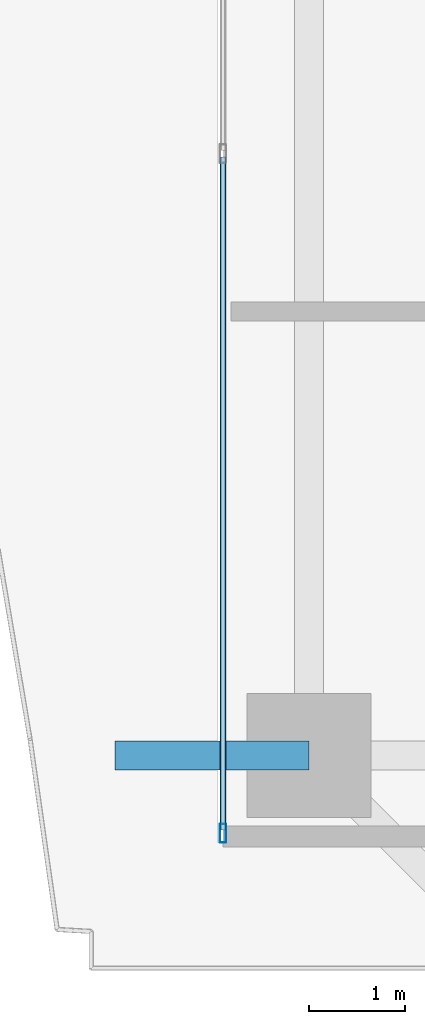
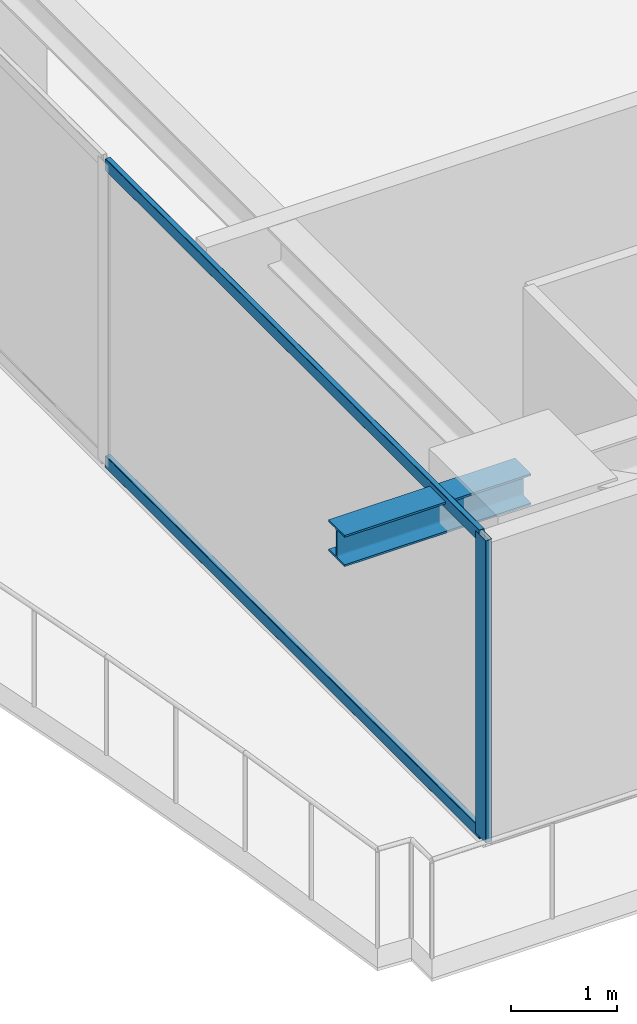
# One storey, part 3 of 34: 3 members, 1 beam, 1 element without a shape of its own.
"""IFC4 building model written with IfcOpenShell, lengths in metres."""

from ifc_helpers import new_model, si_unit, direction, frame, origin, origin_2d, place, context, subcontext, project, spatial, hollow_rectangle, i_section, extrude, source, transform, mapped, material, layer, layer_set, material_profile, profile_set, type_object, element, aggregate, save


model = new_model("IFC4")

# Units and contexts
model_context = context("Model", 3, precision=1e-05, world=origin(), true_north=direction((0.0, 1.0)))
body_context = subcontext(model_context, "Body", "Model", "MODEL_VIEW")
ifc_project = project(units=[si_unit("LENGTHUNIT", "METRE"), si_unit("AREAUNIT", "SQUARE_METRE"), si_unit("VOLUMEUNIT", "CUBIC_METRE"), si_unit("PLANEANGLEUNIT", "RADIAN"), si_unit("MASSUNIT", "GRAM", prefix="KILO")], contexts=[model_context])

# Site, building, storey
site_placement = place(None, origin())
site = spatial("IfcSite", under=ifc_project, at=site_placement, CompositionType="ELEMENT")
building_placement = place(site_placement, origin())
building = spatial("IfcBuilding", under=site, at=building_placement, Name="Serunith Strait Residences", CompositionType="ELEMENT")
storey_placement = place(building_placement, frame((0.0, 0.0, 142.64990234375)))
storey = spatial("IfcBuildingStorey", under=building, at=storey_placement, Name="L35", CompositionType="ELEMENT", Elevation=142.64990234375)

# Beam
ifc_material_1 = material(Name="Steel S355J2", Category="steel")
ifc_material_profile_1 = material_profile(ifc_material_1, i_section(OverallWidth=0.300048828125, OverallDepth=0.360107421875, WebThickness=0.012451171875, FlangeThickness=0.0224609375, FilletRadius=0.027099609375, at=origin_2d()), Name="HEB 360")
ifc_profile_set_1 = profile_set([ifc_material_profile_1], Name="Steel S355J2")
beam_type = type_object("IfcBeamType", Name="BM-HEB360", PredefinedType="BEAM", material=ifc_profile_set_1)
shared_shape_1 = source(origin(), body_context, "Body", "SweptSolid", [
    extrude(i_section(OverallWidth=0.300048828125, OverallDepth=0.360107421875, WebThickness=0.012451171875, FlangeThickness=0.0224609375, FilletRadius=0.027099609375, at=origin_2d()), origin(), (0.0, 0.0, 1.0), 2.030029296875),
])
beam_placement = place(storey_placement, frame((8.699951171875, 10.25, 3.277099609375), z_axis=(-1.0, 0.0, 0.0), x_axis=(0.0, -1.0, 0.0)))
element("IfcBeam", 1, at=beam_placement, inside=storey, type_object=beam_type, Name="L36 Cantilevered Balcony Rib TC-W1", PredefinedType="BEAM", context=body_context, shape_type="MappedRepresentation", body=[
    mapped(shared_shape_1, transform((0.0, 0.0, 0.0), scale=1.0)),
])

# Curtain wall, members
ifc_material_2 = material(Name="Pale-Champagne Anodised Aluminium", Category="aluminium")
ifc_layer = layer(ifc_material_2, 0.199951171875, Name="Pale-Champagne Anodised Aluminium")
ifc_layer_set = layer_set([ifc_layer], Name="Pale-Champagne Anodised Aluminium")
curtain_wall_type = type_object("IfcCurtainWallType", Name="CW-SYS2", PredefinedType="NOTDEFINED", material=ifc_layer_set)
curtain_wall_placement = place(storey_placement, origin())
curtain_wall = element("IfcCurtainWall", 2, at=curtain_wall_placement, inside=storey, type_object=curtain_wall_type, Name="L35 W Unitised Fritted Curtain Wall", PredefinedType="NOTDEFINED")
ifc_material_profile_2 = material_profile(ifc_material_2, hollow_rectangle(XDim=0.070068359375, YDim=0.199951171875, WallThickness=0.00390625, InnerFilletRadius=0.006103515625, OuterFilletRadius=0.010009765625, at=origin_2d()), Name="ALU 200x70x4")
ifc_profile_set_2 = profile_set([ifc_material_profile_2], Name="Pale-Champagne Anodised Aluminium")
member_type_1 = type_object("IfcMemberType", Name="CW-SYS2-MULL", PredefinedType="MULLION", material=ifc_profile_set_2)
shared_shape_2 = source(origin(), body_context, "Body", "SweptSolid", [
    extrude(hollow_rectangle(XDim=0.070068359375, YDim=0.199951171875, WallThickness=0.00390625, InnerFilletRadius=0.006103515625, OuterFilletRadius=0.010009765625, at=origin_2d()), origin(), (0.0, 0.0, 1.0), 3.47509765625),
])
member_1_placement = place(storey_placement, frame((7.800048828125, 9.43505859375, 0.0), z_axis=(0.0, 0.0, 1.0), x_axis=(1.0, 0.0, 0.0)))
member_1 = element("IfcMember", 3, at=member_1_placement, type_object=member_type_1, Name="CW-2 mullion 3", PredefinedType="MULLION", context=body_context, shape_type="MappedRepresentation", body=[
    mapped(shared_shape_2, transform((0.0, 0.0, 0.0), scale=1.0)),
])
ifc_material_profile_3 = material_profile(ifc_material_2, hollow_rectangle(XDim=0.06005859375, YDim=0.139892578125, WallThickness=0.00341796875, InnerFilletRadius=0.00537109375, OuterFilletRadius=0.0087890625, at=origin_2d()), Name="ALU 140x60x3.5")
ifc_profile_set_3 = profile_set([ifc_material_profile_3], Name="Pale-Champagne Anodised Aluminium")
member_type_2 = type_object("IfcMemberType", Name="CW-SYS2-TRAN", PredefinedType="USERDEFINED", material=ifc_profile_set_3)
shared_shape_3 = source(origin(), body_context, "Body", "SweptSolid", [
    extrude(hollow_rectangle(XDim=0.06005859375, YDim=0.139892578125, WallThickness=0.00341796875, InnerFilletRadius=0.00537109375, OuterFilletRadius=0.0087890625, at=origin_2d()), origin(), (0.0, 0.0, 1.0), 7.044921875),
])
member_2_placement = place(storey_placement, frame((7.800048828125, 16.514892578125, 0.030029296875), z_axis=(0.0, -1.0, 0.0), x_axis=(1.0, 0.0, 0.0)))
member_2 = element("IfcMember", 4, at=member_2_placement, type_object=member_type_2, Name="CW-2 transom 2.1", ObjectType="TRANSOM", PredefinedType="USERDEFINED", context=body_context, shape_type="MappedRepresentation", body=[
    mapped(shared_shape_3, transform((0.0, 0.0, 0.0), scale=1.0)),
])
member_3_placement = place(storey_placement, frame((7.800048828125, 16.514892578125, 3.445068359375), z_axis=(0.0, -1.0, 0.0), x_axis=(1.0, 0.0, 0.0)))
member_3 = element("IfcMember", 5, at=member_3_placement, type_object=member_type_2, Name="CW-2 transom 2.2", ObjectType="TRANSOM", PredefinedType="USERDEFINED", context=body_context, shape_type="MappedRepresentation", body=[
    mapped(shared_shape_3, transform((0.0, 0.0, 0.0), scale=1.0)),
])
aggregate(curtain_wall, [member_1, member_2, member_3])

save(model, "model.ifc")
